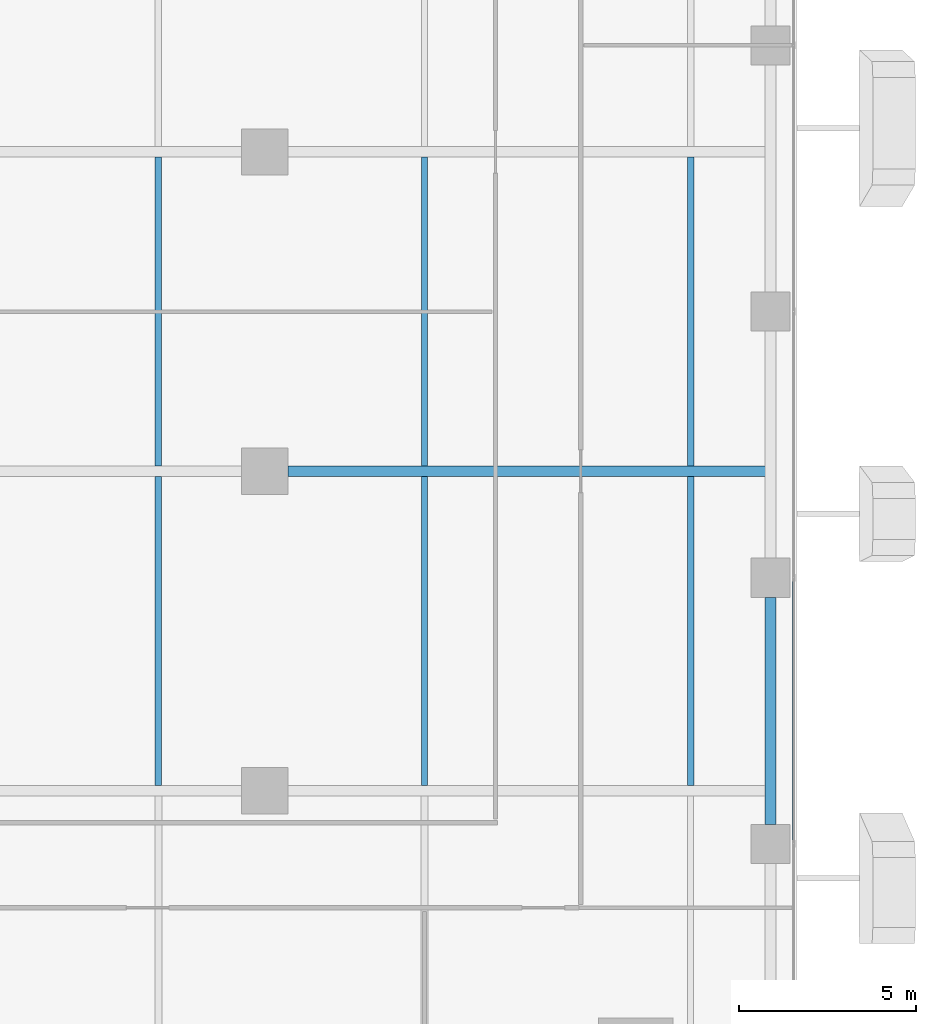
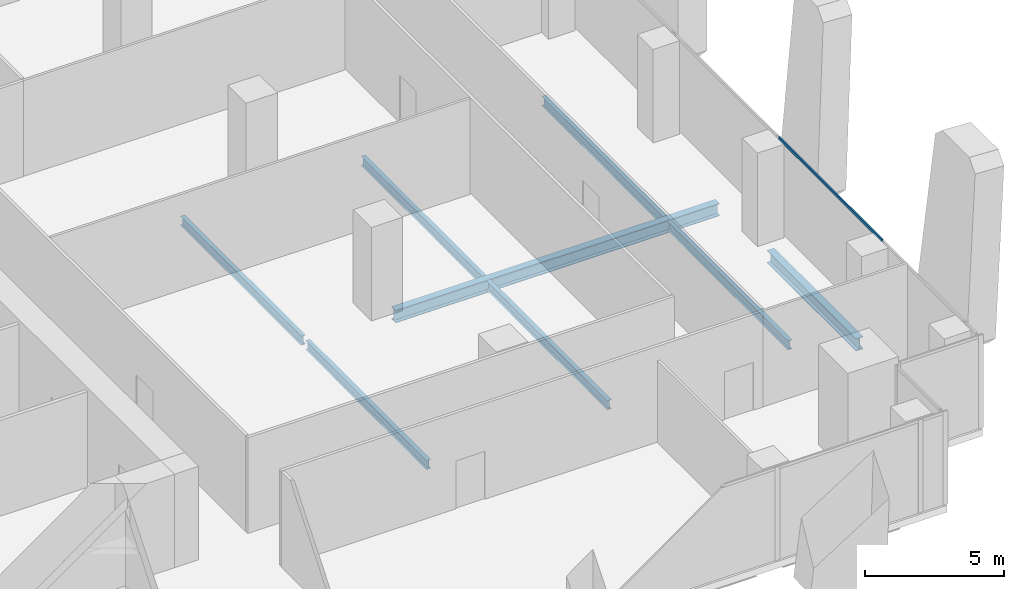
# One storey, part 12 of 35: 8 beams, 1 member, 1 element without a shape of its own.
"""IFC4 building model written with IfcOpenShell, lengths in metres."""

from ifc_helpers import new_model, si_unit, direction, frame, origin, origin_2d, place, context, subcontext, project, spatial, hollow_rectangle, i_section, extrude, source, transform, mapped, material, material_profile, profile_set, type_object, element, aggregate, save


model = new_model("IFC4")

# Units and contexts
model_context = context("Model", 3, precision=1e-05, world=origin(), true_north=direction((0.0, 1.0)))
body_context = subcontext(model_context, "Body", "Model", "MODEL_VIEW")
ifc_project = project(units=[si_unit("LENGTHUNIT", "METRE"), si_unit("AREAUNIT", "SQUARE_METRE"), si_unit("VOLUMEUNIT", "CUBIC_METRE"), si_unit("PLANEANGLEUNIT", "RADIAN"), si_unit("MASSUNIT", "GRAM", prefix="KILO")], contexts=[model_context])

# Site, building, storey
site_placement = place(None, origin())
site = spatial("IfcSite", under=ifc_project, at=site_placement, CompositionType="ELEMENT")
building_placement = place(site_placement, origin())
building = spatial("IfcBuilding", under=site, at=building_placement, Name="Khomas Fold Tower", CompositionType="ELEMENT")
storey_placement = place(building_placement, frame((0.0, 0.0, 119.10009765625)))
storey = spatial("IfcBuildingStorey", under=building, at=storey_placement, Name="L25", CompositionType="ELEMENT", Elevation=119.10009765625)

# Beams
ifc_material_1 = material(Name="Steel S355", Category="steel")
ifc_material_profile_1 = material_profile(ifc_material_1, i_section(OverallWidth=0.179931640625, OverallDepth=0.39990234375, WebThickness=0.008544921875, FlangeThickness=0.013427734375, at=origin_2d()), Name="IPE 400")
ifc_profile_set_1 = profile_set([ifc_material_profile_1], Name="Steel S355")
beam_type_1 = type_object("IfcBeamType", Name="IPE 400 beam JB3", PredefinedType="BEAM", material=ifc_profile_set_1)
shared_shape_1 = source(origin(), body_context, "Body", "SweptSolid", [
    extrude(i_section(OverallWidth=0.179931640625, OverallDepth=0.39990234375, WebThickness=0.008544921875, FlangeThickness=0.013427734375, at=origin_2d()), origin(), (0.0, 0.0, 1.0), 8.7001953125),
])
for number, where, z_axis, x_axis, name in (
    (1, (34.5, 13.64990234375, -0.5), (0.0, 1.0, 0.0), (-1.0, 0.0, 0.0), "JB3"),
    (2, (34.5, 22.64990234375, -0.5), (0.0, 1.0, 0.0), (-1.0, 0.0, 0.0), "JB3"),
    (3, (42.0, 13.64990234375, -0.5), (0.0, 1.0, 0.0), (-1.0, 0.0, 0.0), "JB3"),
    (4, (42.0, 22.64990234375, -0.5), (0.0, 1.0, 0.0), (-1.0, 0.0, 0.0), "JB3"),
    (5, (49.5, 13.64990234375, -0.5), (0.0, 1.0, 0.0), (-1.0, 0.0, 0.0), "JB3"),
    (6, (49.5, 22.64990234375, -0.5), (0.0, 1.0, 0.0), (-1.0, 0.0, 0.0), "JB3"),
):
    element("IfcBeam", number, at=place(storey_placement, frame(where, z_axis=z_axis, x_axis=x_axis)), inside=storey, type_object=beam_type_1, Name=name, PredefinedType="BEAM", context=body_context, shape_type="MappedRepresentation", body=[
        mapped(shared_shape_1, transform((0.0, 0.0, 0.0))),
    ])
ifc_material_2 = material(Name="Steel S355", Category="steel")
ifc_material_profile_2 = material_profile(ifc_material_2, i_section(OverallWidth=0.300048828125, OverallDepth=0.550048828125, WebThickness=0.014892578125, FlangeThickness=0.029052734375, at=origin_2d()), Name="HE 550 B")
ifc_profile_set_2 = profile_set([ifc_material_profile_2], Name="Steel S355")
beam_type_2 = type_object("IfcBeamType", Name="HE 550 B spandrel SB2", PredefinedType="SPANDREL", material=ifc_profile_set_2)
shared_shape_2 = source(origin(), body_context, "Body", "SweptSolid", [
    extrude(i_section(OverallWidth=0.300048828125, OverallDepth=0.550048828125, WebThickness=0.014892578125, FlangeThickness=0.029052734375, at=origin_2d()), origin(), (0.0, 0.0, 1.0), 6.39990234375),
])
beam_1_placement = place(storey_placement, frame((51.75, 12.550048828125, -0.5751953125), z_axis=(0.0, 1.0, 0.0), x_axis=(-1.0, 0.0, 0.0)))
element("IfcBeam", 7, at=beam_1_placement, inside=storey, type_object=beam_type_2, Name="SB2", PredefinedType="SPANDREL", context=body_context, shape_type="MappedRepresentation", body=[
    mapped(shared_shape_2, transform((0.0, 0.0, 0.0))),
])
ifc_material_3 = material(Name="Steel S355", Category="steel")
ifc_material_profile_3 = material_profile(ifc_material_3, i_section(OverallWidth=0.300048828125, OverallDepth=0.550048828125, WebThickness=0.014892578125, FlangeThickness=0.029052734375, at=origin_2d()), Name="HE 550 B")
ifc_profile_set_3 = profile_set([ifc_material_profile_3], Name="Steel S355")
beam_type_3 = type_object("IfcBeamType", Name="HE 550 B beam GB4", PredefinedType="BEAM", material=ifc_profile_set_3)
shared_shape_3 = source(origin(), body_context, "Body", "SweptSolid", [
    extrude(i_section(OverallWidth=0.300048828125, OverallDepth=0.550048828125, WebThickness=0.014892578125, FlangeThickness=0.029052734375, at=origin_2d()), origin(), (0.0, 0.0, 1.0), 13.4501953125),
])
beam_2_placement = place(storey_placement, frame((38.14990234375, 22.5, -0.5751953125), z_axis=(1.0, 0.0, 0.0), x_axis=(0.0, 1.0, 0.0)))
element("IfcBeam", 8, at=beam_2_placement, inside=storey, type_object=beam_type_3, Name="GB4", PredefinedType="BEAM", context=body_context, shape_type="MappedRepresentation", body=[
    mapped(shared_shape_3, transform((0.0, 0.0, 0.0))),
])

# Curtain wall, member
ifc_material_4 = material(Name="Aluminium framed double glazing", Category="aluminium")
curtain_wall_type = type_object("IfcCurtainWallType", Name="SK-Unitised clear-glass wall, growing floors CW1", PredefinedType="NOTDEFINED", material=ifc_material_4)
curtain_wall_placement = place(storey_placement, origin())
curtain_wall = element("IfcCurtainWall", 9, at=curtain_wall_placement, inside=storey, type_object=curtain_wall_type, Name="CW1 run L25 03-0", PredefinedType="NOTDEFINED")
ifc_material_5 = material(Name="Aluminium", Category="aluminium")
ifc_material_profile_4 = material_profile(ifc_material_5, hollow_rectangle(XDim=0.06005859375, YDim=0.1201171875, WallThickness=0.00390625, at=origin_2d()), Name="SK-Unitised clear-glass wall, growing floors transom CW1-T")
ifc_profile_set_4 = profile_set([ifc_material_profile_4], Name="Aluminium")
member_type = type_object("IfcMemberType", Name="SK-Unitised clear-glass wall, growing floors transom CW1-T", PredefinedType="USERDEFINED", material=ifc_profile_set_4)
shared_shape_4 = source(origin(), body_context, "Body", "SweptSolid", [
    extrude(hollow_rectangle(XDim=0.06005859375, YDim=0.1201171875, WallThickness=0.00390625, at=origin_2d()), origin(), (0.0, 0.0, 1.0), 7.43994140625),
])
member_placement = place(storey_placement, frame((52.39990234375, 12.030029296875, 4.039794921875), z_axis=(0.0, 1.0, 0.0), x_axis=(-1.0, 0.0, 0.0)))
member = element("IfcMember", 10, at=member_placement, type_object=member_type, Name="CW1 transom 3", ObjectType="TRANSOM", PredefinedType="USERDEFINED", context=body_context, shape_type="MappedRepresentation", body=[
    mapped(shared_shape_4, transform((0.0, 0.0, 0.0))),
])
aggregate(curtain_wall, [member])

save(model, "model.ifc")
